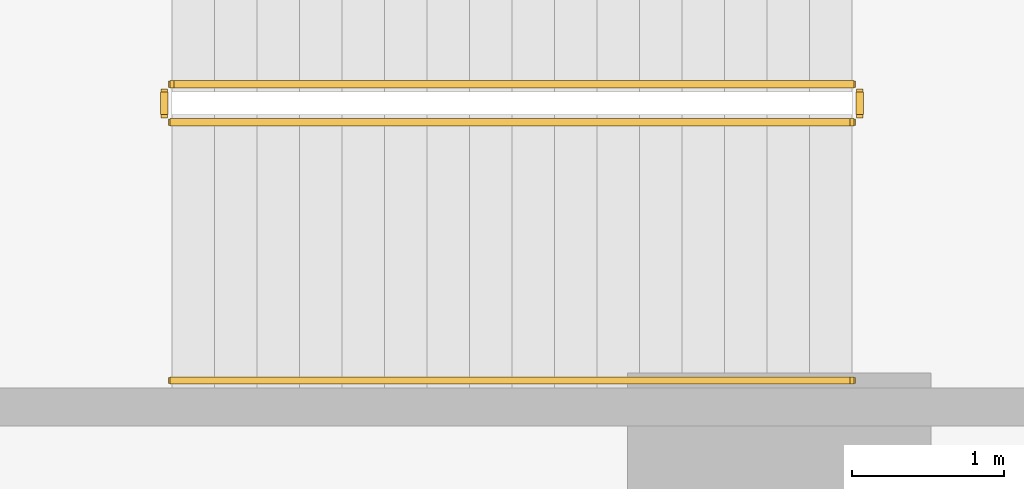
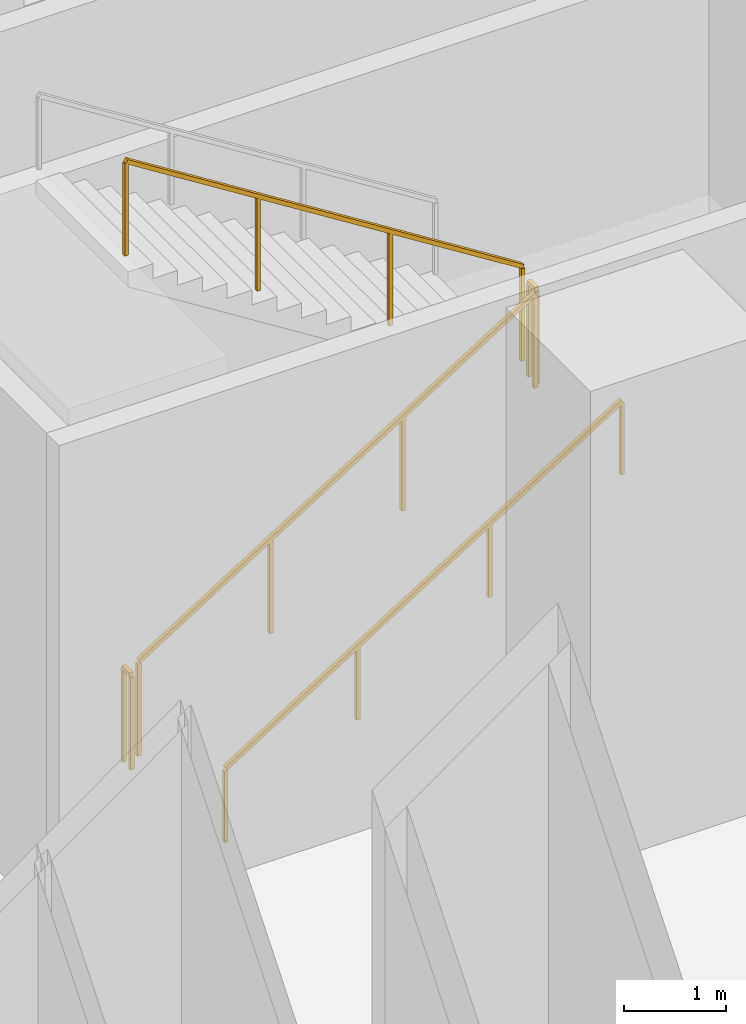
# One storey, part 20 of 25: 5 railings.
"""IFC4 building model written with IfcOpenShell, lengths in metres."""

from ifc_helpers import new_model, si_unit, direction, frame, origin, origin_2d, place, context, subcontext, project, spatial, rectangle, extrude, source, transform, mapped, material, type_object, element, save


model = new_model("IFC4")

# Units and contexts
model_context = context("Model", 3, precision=1e-05, world=origin(), true_north=direction((0.0, 1.0)))
body_context = subcontext(model_context, "Body", "Model", "MODEL_VIEW")
ifc_project = project(units=[si_unit("LENGTHUNIT", "METRE"), si_unit("AREAUNIT", "SQUARE_METRE"), si_unit("VOLUMEUNIT", "CUBIC_METRE"), si_unit("PLANEANGLEUNIT", "RADIAN"), si_unit("MASSUNIT", "GRAM", prefix="KILO")], contexts=[model_context])

# Site, building, storey
site_placement = place(None, origin())
site = spatial("IfcSite", under=ifc_project, at=site_placement, CompositionType="ELEMENT")
building_placement = place(site_placement, origin())
building = spatial("IfcBuilding", under=site, at=building_placement, Name="Vardaveli Station Tower", CompositionType="ELEMENT")
storey_placement = place(building_placement, origin())
storey = spatial("IfcBuildingStorey", under=building, at=storey_placement, Name="L01", CompositionType="ELEMENT", Elevation=0.0)

# Railings
ifc_material = material(Name="Brushed AISI 316 stainless steel", Category="steel")
railing_type_1 = type_object("IfcRailingType", Name="RL-GUARD-1150", PredefinedType="GUARDRAIL", material=ifc_material)
shared_shape_1 = source(origin(), body_context, "Body", "SweptSolid", [
    extrude(rectangle(XDim=0.048095703125, YDim=0.048095703125, at=origin_2d()), frame((0.0, 0.0, 1.1259765625), z_axis=(0.0, 1.0, 0.0), x_axis=(-1.0, 0.0, 0.0)), (0.0, 0.0, 1.0), 0.14990234375),
    extrude(rectangle(XDim=0.0419921875, YDim=0.0419921875, at=origin_2d()), origin(), (0.0, 0.0, 1.0), 1.101806640625),
    extrude(rectangle(XDim=0.0419921875, YDim=0.0419921875, at=origin_2d()), frame((0.0, 0.14990234375, 0.0)), (0.0, 0.0, 1.0), 1.101806640625),
])
for number, where, name in (
    (1, (60.530029296875, 31.60009765625, 3.0), "L01 ST-S2 stair guard 2"),
    (2, (55.949951171875, 31.60009765625, 0.0), "L01 ST-S2 stair guard 4"),
):
    element("IfcRailing", number, at=place(storey_placement, frame(where)), inside=storey, type_object=railing_type_1, Name=name, PredefinedType="GUARDRAIL", context=body_context, shape_type="MappedRepresentation", body=[
        mapped(shared_shape_1, transform((0.0, 0.0, 0.0), scale=1.0)),
    ])
shared_shape_2 = source(origin(), body_context, "Body", "SweptSolid", [
    extrude(rectangle(XDim=0.048095703125, YDim=0.048095703125, at=origin_2d()), frame((0.0, 0.0, 1.1259765625), z_axis=(0.845997938375, 0.0, 0.533186166611), x_axis=(0.0, 1.0, 0.0)), (0.0, 0.0, 1.0), 5.29541015625),
    extrude(rectangle(XDim=0.0419921875, YDim=0.0419921875, at=origin_2d()), origin(), (0.0, 0.0, 1.0), 1.101806640625),
    extrude(rectangle(XDim=0.0419921875, YDim=0.0419921875, at=origin_2d()), frame((1.493408203125, 0.0, 0.941162109375)), (0.0, 0.0, 1.0), 1.101806640625),
    extrude(rectangle(XDim=0.0419921875, YDim=0.0419921875, at=origin_2d()), frame((2.986572265625, 0.0, 1.88232421875)), (0.0, 0.0, 1.0), 1.101806640625),
    extrude(rectangle(XDim=0.0419921875, YDim=0.0419921875, at=origin_2d()), frame((4.47998046875, 0.0, 2.823486328125)), (0.0, 0.0, 1.0), 1.101806640625),
])
railing_1_placement = place(storey_placement, frame((56.0, 31.550048828125, 0.176513671875)))
element("IfcRailing", 3, at=railing_1_placement, inside=storey, type_object=railing_type_1, Name="L01 ST-S2 stair guard 1", PredefinedType="GUARDRAIL", context=body_context, shape_type="MappedRepresentation", body=[
    mapped(shared_shape_2, transform((0.0, 0.0, 0.0), scale=1.0)),
])
shared_shape_3 = source(origin(), body_context, "Body", "SweptSolid", [
    extrude(rectangle(XDim=0.048095703125, YDim=0.048095703125, at=origin_2d()), frame((0.0, 0.0, 1.1259765625), z_axis=(-0.845997938375, 0.0, 0.533186166611), x_axis=(0.0, -1.0, 0.0)), (0.0, 0.0, 1.0), 5.29541015625),
    extrude(rectangle(XDim=0.0419921875, YDim=0.0419921875, at=origin_2d()), origin(), (0.0, 0.0, 1.0), 1.101806640625),
    extrude(rectangle(XDim=0.0419921875, YDim=0.0419921875, at=origin_2d()), frame((-1.493408203125, 0.0, 0.941162109375)), (0.0, 0.0, 1.0), 1.101806640625),
    extrude(rectangle(XDim=0.0419921875, YDim=0.0419921875, at=origin_2d()), frame((-2.986572265625, 0.0, 1.88232421875)), (0.0, 0.0, 1.0), 1.101806640625),
    extrude(rectangle(XDim=0.0419921875, YDim=0.0419921875, at=origin_2d()), frame((-4.47998046875, 0.0, 2.823486328125)), (0.0, 0.0, 1.0), 1.101806640625),
])
railing_2_placement = place(storey_placement, frame((60.47998046875, 31.800048828125, 3.176513671875)))
element("IfcRailing", 4, at=railing_2_placement, inside=storey, type_object=railing_type_1, Name="L01 ST-S2 stair guard 3", PredefinedType="GUARDRAIL", context=body_context, shape_type="MappedRepresentation", body=[
    mapped(shared_shape_3, transform((0.0, 0.0, 0.0), scale=1.0)),
])
railing_type_2 = type_object("IfcRailingType", Name="RL-HAND-900", PredefinedType="HANDRAIL", material=ifc_material)
shared_shape_4 = source(origin(), body_context, "Body", "SweptSolid", [
    extrude(rectangle(XDim=0.048095703125, YDim=0.048095703125, at=origin_2d()), frame((0.0, 0.0, 0.8759765625), z_axis=(0.845997938375, 0.0, 0.533186166611), x_axis=(0.0, 1.0, 0.0)), (0.0, 0.0, 1.0), 5.29541015625),
    extrude(rectangle(XDim=0.0419921875, YDim=0.0419921875, at=origin_2d()), origin(), (0.0, 0.0, 1.0), 0.851806640625),
    extrude(rectangle(XDim=0.0419921875, YDim=0.0419921875, at=origin_2d()), frame((1.493408203125, 0.0, 0.941162109375)), (0.0, 0.0, 1.0), 0.851806640625),
    extrude(rectangle(XDim=0.0419921875, YDim=0.0419921875, at=origin_2d()), frame((2.986572265625, 0.0, 1.88232421875)), (0.0, 0.0, 1.0), 0.851806640625),
    extrude(rectangle(XDim=0.0419921875, YDim=0.0419921875, at=origin_2d()), frame((4.47998046875, 0.0, 2.823486328125)), (0.0, 0.0, 1.0), 0.851806640625),
])
railing_3_placement = place(storey_placement, frame((56.0, 29.85009765625, 0.176513671875)))
element("IfcRailing", 5, at=railing_3_placement, inside=storey, type_object=railing_type_2, Name="L01 ST-S2 stair handrail 1", PredefinedType="HANDRAIL", context=body_context, shape_type="MappedRepresentation", body=[
    mapped(shared_shape_4, transform((0.0, 0.0, 0.0), scale=1.0)),
])

save(model, "model.ifc")
